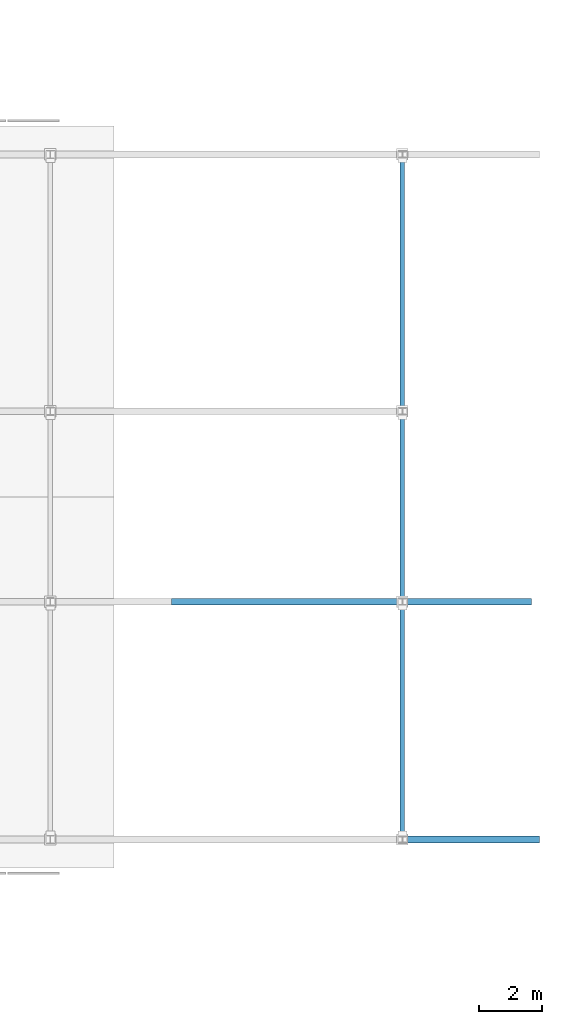
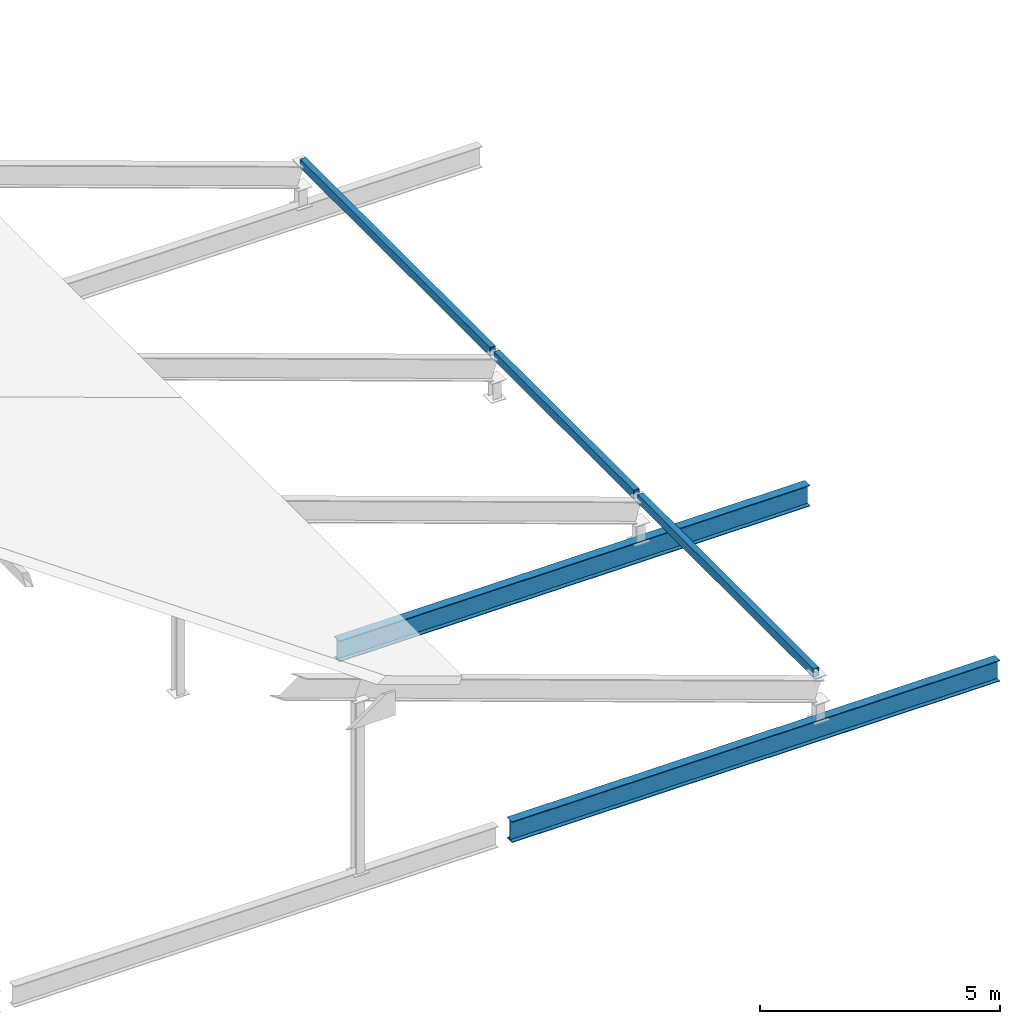
# One storey, part 25 of 42: 3 members, 2 beams.
"""IFC4 building model written with IfcOpenShell, lengths in metres."""

import ifcopenshell
import ifcopenshell.guid

model = None  # the IFC model being written
_history = None  # IfcOwnerHistory: only IFC2X3 demands one
_inside = {}  # id of a spatial element -> (the spatial element, [elements in it])
_under = {}  # id of a project, library or spatial element -> (it, [spatial elements below it])
_declared = {}  # id of a project -> (the project, [libraries it declares])
_typed = {}  # id of a type object -> (the type object, [elements of that type])
_made_of = {}  # id of a material, layer set ... -> (it, [elements and type objects made of it])


def new_model(schema):
    """Start an empty IFC model of exactly this schema.

    Asked for "IFC4X3", IfcOpenShell would pick the latest addendum, in which some entities
    have other attributes; the version numbers below select the first issue.
    IFC2X3 requires an IfcOwnerHistory on every rooted entity: one is made here for all.
    """
    global model, _history
    if schema == "IFC4X3":
        model = ifcopenshell.file(schema_version=(4, 3, 0, 0))
    else:
        model = ifcopenshell.file(schema=schema)
    _inside.clear()
    _under.clear()
    _declared.clear()
    _typed.clear()
    _made_of.clear()
    _history = None
    if model.schema == "IFC2X3":
        org = make("IfcOrganization", Name="unknown")
        user = make(
            "IfcPersonAndOrganization",
            ThePerson=make("IfcPerson", FamilyName="unknown"),
            TheOrganization=org,
        )
        app = make(
            "IfcApplication",
            ApplicationDeveloper=org,
            Version="unknown",
            ApplicationFullName="unknown",
            ApplicationIdentifier="unknown",
        )
        _history = make(
            "IfcOwnerHistory",
            OwningUser=user,
            OwningApplication=app,
            ChangeAction="ADDED",
            CreationDate=0,
        )
    return model


def make(cls, **values):
    """One entity of the class cls with the attributes given. An attribute that is None is left unset."""
    return model.create_entity(
        cls, **{name: value for name, value in values.items() if value is not None}
    )


def rooted(cls, **values):
    """An entity with a GlobalId (a new one), such as an element, a storey or a relation."""
    return make(cls, GlobalId=ifcopenshell.guid.new(), OwnerHistory=_history, **values)


def si_unit(unit_type, name, prefix=None):
    """IfcSIUnit, for example si_unit("LENGTHUNIT", "METRE", prefix="MILLI")."""
    return make("IfcSIUnit", UnitType=unit_type, Prefix=prefix, Name=name)


def assignment(units):
    """IfcUnitAssignment: the units of a project."""
    return None if units is None else make("IfcUnitAssignment", Units=units)


def point(xyz):
    """IfcCartesianPoint."""
    return None if xyz is None else make("IfcCartesianPoint", Coordinates=xyz)


def direction(xyz):
    """IfcDirection."""
    return None if xyz is None else make("IfcDirection", DirectionRatios=xyz)


def frame(location, z_axis=None, x_axis=None):
    """IfcAxis2Placement3D, a coordinate frame: its origin and axes. An axis left out is left unset."""
    return make(
        "IfcAxis2Placement3D",
        Location=point(location),
        Axis=direction(z_axis),
        RefDirection=direction(x_axis),
    )


def frame_2d(location, x_axis=None):
    """IfcAxis2Placement2D, a coordinate frame in the plane: its origin and x axis."""
    return make(
        "IfcAxis2Placement2D", Location=point(location), RefDirection=direction(x_axis)
    )


def origin():
    """The frame at (0, 0, 0) with its axes left unset."""
    return frame((0.0, 0.0, 0.0))


def origin_2d():
    """The frame at (0, 0) in the plane with its x axis left unset."""
    return frame_2d((0.0, 0.0))


def place(relative_to, where):
    """IfcLocalPlacement: puts the frame where relative to a parent placement (None: the world)."""
    return make(
        "IfcLocalPlacement", PlacementRelTo=relative_to, RelativePlacement=where
    )


def context(
    kind, dimensions, precision=None, world=None, true_north=None, identifier=None
):
    """IfcGeometricRepresentationContext, for example the 3D "Model" context."""
    return make(
        "IfcGeometricRepresentationContext",
        ContextIdentifier=identifier,
        ContextType=kind,
        CoordinateSpaceDimension=dimensions,
        Precision=precision,
        WorldCoordinateSystem=world,
        TrueNorth=true_north,
    )


def subcontext(parent, identifier, kind, view, scale=None):
    """IfcGeometricRepresentationSubContext, for example "Body" below "Model"."""
    return make(
        "IfcGeometricRepresentationSubContext",
        ContextIdentifier=identifier,
        ContextType=kind,
        ParentContext=parent,
        TargetScale=scale,
        TargetView=view,
    )


def project(units=None, contexts=None):
    """IfcProject with its units and contexts."""
    return rooted(
        "IfcProject",
        Name="project",
        RepresentationContexts=contexts,
        UnitsInContext=assignment(units),
    )


def spatial(cls, under=None, at=None, **own):
    """A site, building, storey or space (cls), placed at a placement, below another one or the project."""
    s = rooted(cls, ObjectPlacement=at, **own)
    if under is not None:
        _under.setdefault(under.id(), (under, []))[1].append(s)
    return s


def profile(cls, at=None, kind="AREA", **sizes):
    """A parametric profile (cls). Its sizes go by their IFC names, for example OverallWidth=200.0."""
    return make(cls, ProfileType=kind, Position=at, **sizes)


def hollow_rectangle(**sizes):
    """IfcRectangleHollowProfileDef."""
    return profile("IfcRectangleHollowProfileDef", **sizes)


def i_section(**sizes):
    """IfcIShapeProfileDef."""
    return profile("IfcIShapeProfileDef", **sizes)


def extrude(swept, where, along, depth):
    """IfcExtrudedAreaSolid: the profile swept, set in the frame where, extruded along a direction by depth."""
    return make(
        "IfcExtrudedAreaSolid",
        SweptArea=swept,
        Position=where,
        ExtrudedDirection=direction(along),
        Depth=depth,
    )


def shape(context_of_items, identifier, shape_type, items):
    """IfcShapeRepresentation: the items that make up one representation, for example the "Body"."""
    return make(
        "IfcShapeRepresentation",
        ContextOfItems=context_of_items,
        RepresentationIdentifier=identifier,
        RepresentationType=shape_type,
        Items=items,
    )


def material(Name=None, Category=None):
    """IfcMaterial."""
    return make("IfcMaterial", Name=Name, Category=Category)


def material_profile(
    of_material, cross_section, Name=None, Category=None, Priority=None
):
    """IfcMaterialProfile: a cross section and its material."""
    return make(
        "IfcMaterialProfile",
        Name=Name,
        Material=of_material,
        Profile=cross_section,
        Priority=Priority,
        Category=Category,
    )


def profile_set(profiles, Name=None, composite=None):
    """IfcMaterialProfileSet."""
    return make(
        "IfcMaterialProfileSet",
        Name=Name,
        MaterialProfiles=profiles,
        CompositeProfile=composite,
    )


def made_of(thing, what):
    """Note that an element or type object is made of a material, layer set ...; save() writes the relation."""
    if what is not None:
        _made_of.setdefault(what.id(), (what, []))[1].append(thing)
    return thing


def type_object(cls, material=None, **own):
    """A type object (cls), such as IfcWallType, which elements share."""
    return made_of(rooted(cls, **own), material)


def element(
    cls,
    number,
    at=None,
    inside=None,
    cuts=None,
    type_object=None,
    material=None,
    context=None,
    identifier="Body",
    shape_type=None,
    held_by="IfcProductDefinitionShape",
    body=None,
    shapes=None,
    **own,
):
    """One element of the class cls, such as IfcWall. Its Tag is "e" and its number.

    at: its placement. inside: the storey or other place that contains it. cuts: it is an
    opening in that element (IfcRelVoidsElement). A single representation is given by context,
    identifier, shape_type and body (its items); several are given by shapes. held_by: the class
    of the entity that holds the representations. save() writes the other relations.
    """
    e = rooted(cls, Tag="e%d" % number, ObjectPlacement=at, **own)
    if body is not None:
        shapes = [shape(context, identifier, shape_type, body)]
    if shapes is not None:
        e.Representation = make(held_by, Representations=shapes)
    if inside is not None:
        _inside.setdefault(inside.id(), (inside, []))[1].append(e)
    if cuts is not None:
        rooted(
            "IfcRelVoidsElement", RelatingBuildingElement=cuts, RelatedOpeningElement=e
        )
    if type_object is not None:
        _typed.setdefault(type_object.id(), (type_object, []))[1].append(e)
    return made_of(e, material)


def aggregate(whole, parts):
    """IfcRelAggregates: a whole, such as a stair, and the parts it consists of."""
    return rooted("IfcRelAggregates", RelatingObject=whole, RelatedObjects=parts)


def save(model, path):
    """Write the relations noted so far, then the file.

    IfcRelAggregates (storeys below a building ...), IfcRelContainedInSpatialStructure (elements
    in a storey), IfcRelDefinesByType, IfcRelAssociatesMaterial and IfcRelDeclares: one each for
    every whole, place, type object, material and project.
    """
    for whole, parts in _under.values():
        aggregate(whole, parts)
    for where, things in _inside.values():
        rooted(
            "IfcRelContainedInSpatialStructure",
            RelatedElements=things,
            RelatingStructure=where,
        )
    for kind, things in _typed.values():
        rooted("IfcRelDefinesByType", RelatedObjects=things, RelatingType=kind)
    for what, things in _made_of.values():
        rooted("IfcRelAssociatesMaterial", RelatedObjects=things, RelatingMaterial=what)
    for by, libraries in _declared.values():
        rooted("IfcRelDeclares", RelatingContext=by, RelatedDefinitions=libraries)
    model.write(path)


model = new_model("IFC4")

# Units and contexts
model_context = context("Model", 3, precision=1e-05, world=origin(), true_north=direction((0.0, 1.0)))
body_context = subcontext(model_context, "Body", "Model", "MODEL_VIEW")
ifc_project = project(units=[si_unit("LENGTHUNIT", "METRE"), si_unit("AREAUNIT", "SQUARE_METRE"), si_unit("VOLUMEUNIT", "CUBIC_METRE"), si_unit("PLANEANGLEUNIT", "RADIAN"), si_unit("MASSUNIT", "GRAM", prefix="KILO")], contexts=[model_context])

# Site, building, storey
site_placement = place(None, origin())
site = spatial("IfcSite", under=ifc_project, at=site_placement, CompositionType="ELEMENT")
building_placement = place(site_placement, origin())
building = spatial("IfcBuilding", under=site, at=building_placement, Name="Kelmvaro Bay Concert Hall", CompositionType="ELEMENT")
storey_placement = place(building_placement, frame((0.0, 0.0, 26.699951171875)))
storey = spatial("IfcBuildingStorey", under=building, at=storey_placement, Name="RF", CompositionType="ELEMENT", Elevation=26.699951171875)

# Members
ifc_material_1 = material(Name="Steel ASTM A500 Grade C", Category="steel")
ifc_material_profile_1 = material_profile(ifc_material_1, hollow_rectangle(XDim=0.139892578125, YDim=0.219970703125, WallThickness=0.010009765625, at=origin_2d()), Name="HSS220X140X10")
ifc_profile_set_1 = profile_set([ifc_material_profile_1], Name="Steel ASTM A500 Grade C")
member_type = type_object("IfcMemberType", Name="Crystal Roof Eave Purlin HSS220x140x10", PredefinedType="PURLIN", material=ifc_profile_set_1)
member_1_placement = place(storey_placement, frame((163.60009765625, 16.5849609375, -3.40869140625), z_axis=(0.0, 1.0, 0.0), x_axis=(-1.0, 0.0, 0.0)))
element("IfcMember", 1, at=member_1_placement, inside=storey, type_object=member_type, Name="V4 Crystal Roof Purlin 078", PredefinedType="PURLIN", context=body_context, shape_type="SweptSolid", body=[
    extrude(hollow_rectangle(XDim=0.139892578125, YDim=0.219970703125, WallThickness=0.010009765625, at=origin_2d()), origin(), (0.0, 0.0, 1.0), 7.330078125),
])
member_2_placement = place(storey_placement, frame((163.60009765625, 24.0849609375, -3.40869140625), z_axis=(0.0, 1.0, 0.0), x_axis=(-1.0, 0.0, 0.0)))
element("IfcMember", 2, at=member_2_placement, inside=storey, type_object=member_type, Name="V4 Crystal Roof Purlin 079", PredefinedType="PURLIN", context=body_context, shape_type="SweptSolid", body=[
    extrude(hollow_rectangle(XDim=0.139892578125, YDim=0.219970703125, WallThickness=0.010009765625, at=origin_2d()), origin(), (0.0, 0.0, 1.0), 5.830078125),
])
member_3_placement = place(storey_placement, frame((163.60009765625, 30.0849609375, -3.40869140625), z_axis=(0.0, 1.0, 0.0), x_axis=(-1.0, 0.0, 0.0)))
element("IfcMember", 3, at=member_3_placement, inside=storey, type_object=member_type, Name="V4 Crystal Roof Purlin 080", PredefinedType="PURLIN", context=body_context, shape_type="SweptSolid", body=[
    extrude(hollow_rectangle(XDim=0.139892578125, YDim=0.219970703125, WallThickness=0.010009765625, at=origin_2d()), origin(), (0.0, 0.0, 1.0), 7.929931640625),
])

# Beams
ifc_material_2 = material(Name="Steel ASTM A992 Grade 50", Category="steel")
ifc_material_profile_2 = material_profile(ifc_material_2, i_section(OverallWidth=0.2099609375, OverallDepth=0.535888671875, WebThickness=0.010986328125, FlangeThickness=0.017333984375, at=origin_2d()), Name="W21X68")
ifc_profile_set_2 = profile_set([ifc_material_profile_2], Name="Steel ASTM A992 Grade 50")
beam_type = type_object("IfcBeamType", Name="Crystal Roof Tie Girder W21x68", PredefinedType="BEAM", material=ifc_profile_set_2)
beam_1_placement = place(storey_placement, frame((156.1650390625, 16.5, -4.76806640625), z_axis=(1.0, 0.0, 0.0), x_axis=(0.0, 1.0, 0.0)))
element("IfcBeam", 4, at=beam_1_placement, inside=storey, type_object=beam_type, Name="V4 Crystal Roof Tie Girder 049", PredefinedType="BEAM", context=body_context, shape_type="SweptSolid", body=[
    extrude(i_section(OverallWidth=0.2099609375, OverallDepth=0.535888671875, WebThickness=0.010986328125, FlangeThickness=0.017333984375, at=origin_2d()), origin(), (0.0, 0.0, 1.0), 11.7548828125),
])
beam_2_placement = place(storey_placement, frame((156.324951171875, 24.0, -4.76806640625), z_axis=(1.0, 0.0, 0.0), x_axis=(0.0, 1.0, 0.0)))
element("IfcBeam", 5, at=beam_2_placement, inside=storey, type_object=beam_type, Name="V4 Crystal Roof Tie Girder 054", PredefinedType="BEAM", context=body_context, shape_type="SweptSolid", body=[
    extrude(i_section(OverallWidth=0.2099609375, OverallDepth=0.535888671875, WebThickness=0.010986328125, FlangeThickness=0.017333984375, at=origin_2d()), origin(), (0.0, 0.0, 1.0), 11.35009765625),
])

save(model, "model.ifc")
